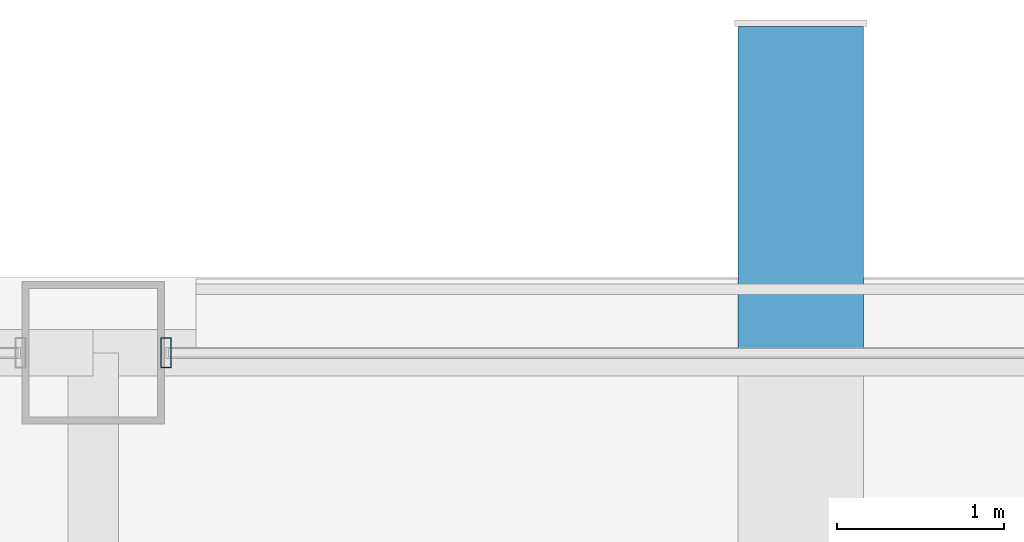
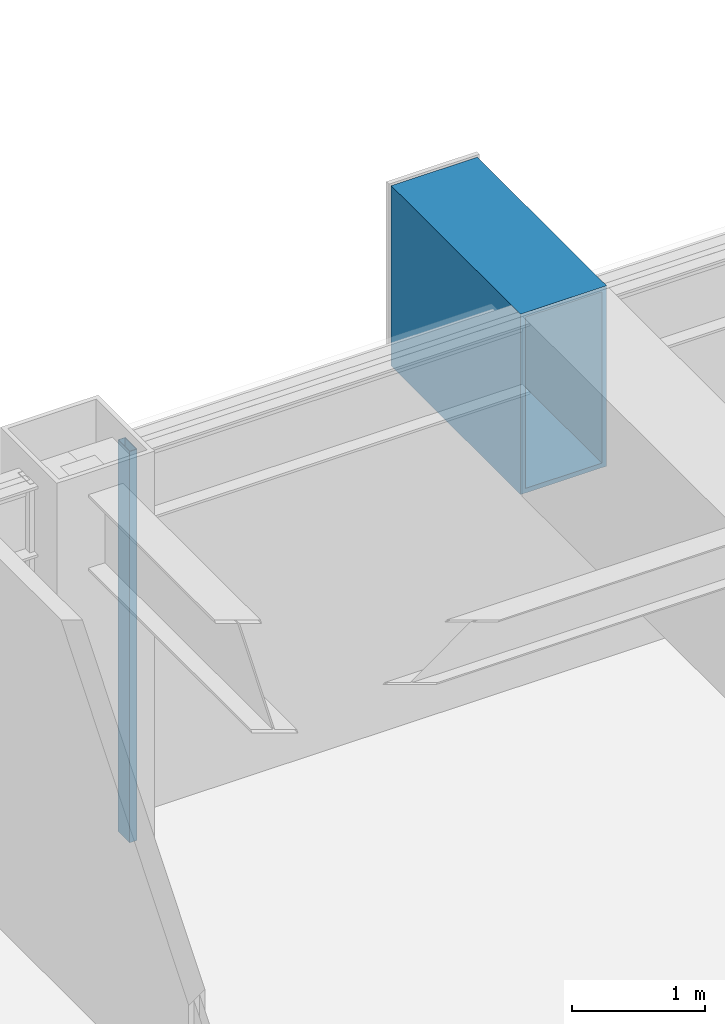
# One storey, part 24 of 34: 1 beam, 1 member, 1 element without a shape of its own.
"""IFC4 building model written with IfcOpenShell, lengths in metres."""

from ifc_helpers import new_model, si_unit, direction, frame, origin, origin_2d, place, context, subcontext, project, spatial, hollow_rectangle, extrude, material, layer, layer_set, material_profile, profile_set, type_object, element, aggregate, save


model = new_model("IFC4")

# Units and contexts
model_context = context("Model", 3, precision=1e-05, world=origin(), true_north=direction((0.0, 1.0)))
body_context = subcontext(model_context, "Body", "Model", "MODEL_VIEW")
ifc_project = project(units=[si_unit("LENGTHUNIT", "METRE"), si_unit("AREAUNIT", "SQUARE_METRE"), si_unit("VOLUMEUNIT", "CUBIC_METRE"), si_unit("PLANEANGLEUNIT", "RADIAN"), si_unit("MASSUNIT", "GRAM", prefix="KILO")], contexts=[model_context])

# Site, building, storey
site_placement = place(None, origin())
site = spatial("IfcSite", under=ifc_project, at=site_placement, CompositionType="ELEMENT")
building_placement = place(site_placement, origin())
building = spatial("IfcBuilding", under=site, at=building_placement, Name="Brelmoor Portico Tower", CompositionType="ELEMENT")
storey_placement = place(building_placement, frame((0.0, 0.0, 117.0)))
storey = spatial("IfcBuildingStorey", under=building, at=storey_placement, Name="L30", CompositionType="ELEMENT", Elevation=117.0)

# Beam
ifc_material_1 = material(Name="Steel Q355B", Category="steel")
ifc_material_profile_1 = material_profile(ifc_material_1, hollow_rectangle(XDim=0.75, YDim=1.659912109375, WallThickness=0.0419921875, at=origin_2d()), Name="BOX 750x1660x42")
ifc_profile_set_1 = profile_set([ifc_material_profile_1], Name="Steel Q355B")
beam_type = type_object("IfcBeamType", Name="BM-PF-CANT", PredefinedType="BEAM", material=ifc_profile_set_1)
beam_placement = place(storey_placement, frame((-3.820068359375, 19.550048828125, 2.570068359375), z_axis=(0.0, 1.0, 0.0), x_axis=(-1.0, 0.0, 0.0)))
element("IfcBeam", 1, at=beam_placement, inside=storey, type_object=beam_type, Name="L30 Picture-Frame Outrigger Transfer Cantilever PFB-02", PredefinedType="BEAM", context=body_context, shape_type="SweptSolid", body=[
    extrude(hollow_rectangle(XDim=0.75, YDim=1.659912109375, WallThickness=0.0419921875, at=origin_2d()), origin(), (0.0, 0.0, 1.0), 1.949951171875),
])

# Curtain wall, member
ifc_material_2 = material(Name="Anodised Aluminium Alloy 6063-T6", Category="aluminium")
ifc_layer = layer(ifc_material_2, 0.179931640625)
ifc_layer_set = layer_set([ifc_layer], Name="Anodised Aluminium Alloy 6063-T6")
curtain_wall_type = type_object("IfcCurtainWallType", Name="CW-TOWER-Z2-XB", PredefinedType="NOTDEFINED", material=ifc_layer_set)
curtain_wall_placement = place(storey_placement, origin())
curtain_wall = element("IfcCurtainWall", 2, at=curtain_wall_placement, inside=storey, type_object=curtain_wall_type, Name="L30 Curtain Wall CW-L30-02-3", PredefinedType="NOTDEFINED")
ifc_material_profile_2 = material_profile(ifc_material_2, hollow_rectangle(XDim=0.06494140625, YDim=0.179931640625, WallThickness=0.00390625, at=origin_2d()), Name="ALU MULLION 65x180")
ifc_profile_set_2 = profile_set([ifc_material_profile_2], Name="Anodised Aluminium Alloy 6063-T6")
member_type = type_object("IfcMemberType", Name="MB-CW-MULL-180", PredefinedType="MULLION", material=ifc_profile_set_2)
member_placement = place(storey_placement, frame((-7.614990234375, 19.550048828125, -0.199951171875), z_axis=(0.0, 0.0, 1.0), x_axis=(1.0, 0.0, 0.0)))
member = element("IfcMember", 3, at=member_placement, type_object=member_type, Name="CW-L30-02-3 Mullion 00", PredefinedType="MULLION", context=body_context, shape_type="SweptSolid", body=[
    extrude(hollow_rectangle(XDim=0.06494140625, YDim=0.179931640625, WallThickness=0.00390625, at=origin_2d()), origin(), (0.0, 0.0, 1.0), 3.599853515625),
])
aggregate(curtain_wall, [member])

save(model, "model.ifc")
